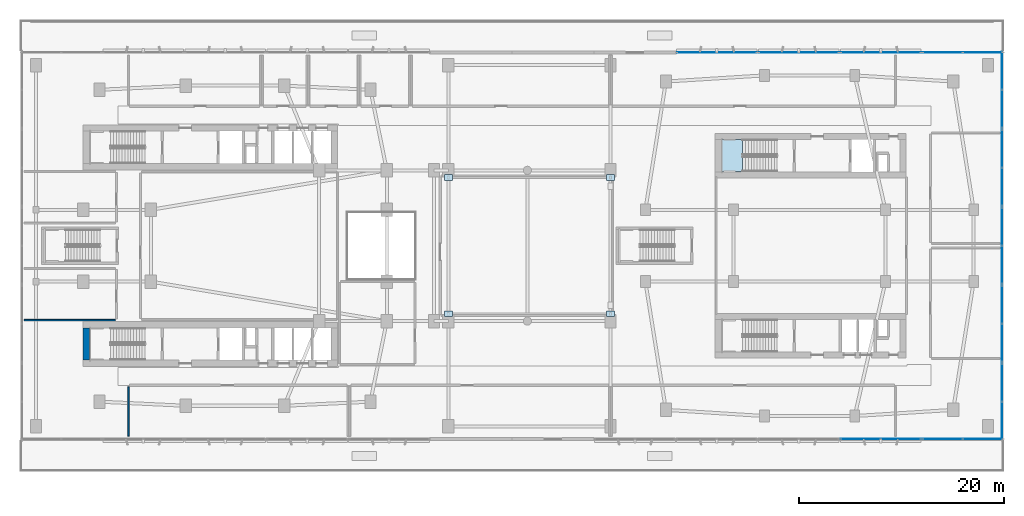
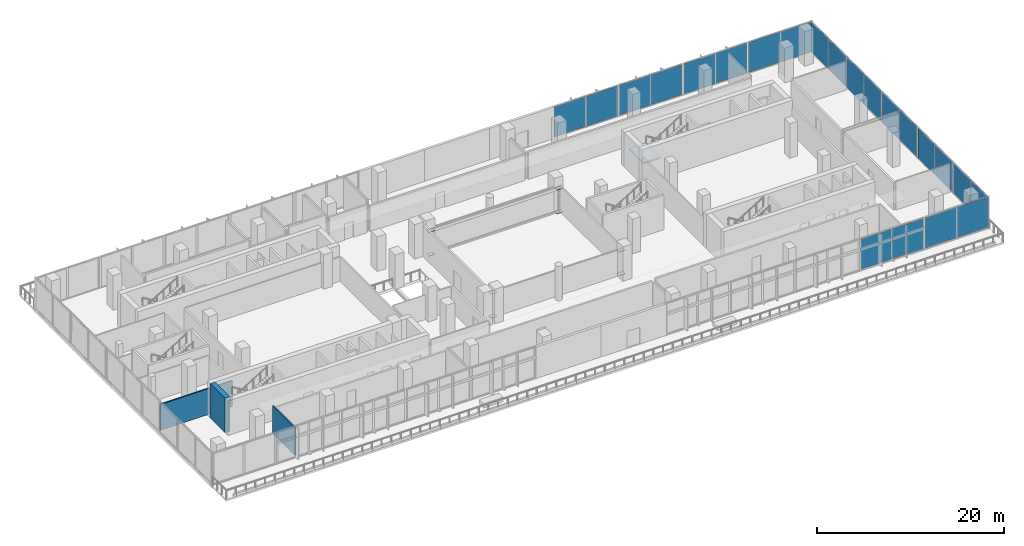
# One storey, part 12 of 31: 30 plates, 3 walls, 1 slab, 12 elements without a shape of their own.
"""IFC4 building model written with IfcOpenShell, lengths in metres."""

from ifc_helpers import new_model, si_unit, derived_unit, direction, frame, frame_2d, origin, origin_2d, place, context, subcontext, project, spatial, polyline, rectangle, outline, extrude, material, layer, layer_set, type_object, element, aggregate, save


model = new_model("IFC4")

# Units and contexts
model_context = context("Model", 3, precision=1e-05, world=origin(), true_north=direction((0.0, 1.0)))
body_context = subcontext(model_context, "Body", "Model", "MODEL_VIEW")
ifc_project = project(units=[si_unit("LENGTHUNIT", "METRE"), si_unit("AREAUNIT", "SQUARE_METRE"), si_unit("VOLUMEUNIT", "CUBIC_METRE"), si_unit("PLANEANGLEUNIT", "RADIAN"), si_unit("MASSUNIT", "GRAM", prefix="KILO"), derived_unit("THERMALTRANSMITTANCEUNIT", [(si_unit("POWERUNIT", "WATT"), 1), (si_unit("LENGTHUNIT", "METRE"), -2), (si_unit("THERMODYNAMICTEMPERATUREUNIT", "KELVIN"), -1)])], contexts=[model_context])

# Site, building, storey
site_placement = place(None, origin())
site = spatial("IfcSite", under=ifc_project, at=site_placement, CompositionType="ELEMENT")
building_placement = place(site_placement, origin())
building = spatial("IfcBuilding", under=site, at=building_placement, Name="Kivonza Crest Hotel", CompositionType="ELEMENT")
storey_placement = place(building_placement, frame((0.0, 0.0, 15.0)))
storey = spatial("IfcBuildingStorey", under=building, at=storey_placement, Name="L03", CompositionType="ELEMENT", Elevation=15.0)

# Curtain wall, plates
ifc_material_1 = material(Name="Anodised bronze aluminium and low-E double glazing", Category="aluminium")
ifc_layer_1 = layer(ifc_material_1, 0.199951171875)
ifc_layer_set_1 = layer_set([ifc_layer_1], Name="Anodised bronze aluminium and low-E double glazing")
curtain_wall_type = type_object("IfcCurtainWallType", Name="CW-SYS-6", PredefinedType="NOTDEFINED", material=ifc_layer_set_1)
curtain_wall_1_placement = place(storey_placement, origin())
curtain_wall_1 = element("IfcCurtainWall", 1, at=curtain_wall_1_placement, inside=storey, type_object=curtain_wall_type, Name="L03 unitised curtain wall CW-POD-L03-11", PredefinedType="NOTDEFINED")
ifc_material_2 = material(Name="Acoustic triple-laminated low-E glazing", Category="glass")
ifc_layer_2 = layer(ifc_material_2, 0.035888671875)
ifc_layer_set_2 = layer_set([ifc_layer_2], Name="Acoustic triple-laminated low-E glazing")
plate_type_1 = type_object("IfcPlateType", Name="CW-PNL-36", PredefinedType="CURTAIN_PANEL", material=ifc_layer_set_2)
plate_1_placement = place(storey_placement, frame((81.982177734375, 6.159912109375, 0.0751953125), z_axis=(0.0, 0.0, 1.0), x_axis=(1.0, 0.0, 0.0)))
plate_1 = element("IfcPlate", 2, at=plate_1_placement, type_object=plate_type_1, Name="CW-6 panel 1.1", PredefinedType="CURTAIN_PANEL", context=body_context, shape_type="SweptSolid", body=[
    extrude(rectangle(XDim=3.840576171875, YDim=0.035888671875, at=origin_2d()), origin(), (0.0, 0.0, 1.0), 3.949951171875),
])
plate_2_placement = place(storey_placement, frame((85.897705078125, 6.159912109375, 0.0751953125), z_axis=(0.0, 0.0, 1.0), x_axis=(1.0, 0.0, 0.0)))
plate_2 = element("IfcPlate", 3, at=plate_2_placement, type_object=plate_type_1, Name="CW-6 panel 2.1", PredefinedType="CURTAIN_PANEL", context=body_context, shape_type="SweptSolid", body=[
    extrude(rectangle(XDim=3.840576171875, YDim=0.035888671875, at=origin_2d()), origin(), (0.0, 0.0, 1.0), 3.949951171875),
])
aggregate(curtain_wall_1, [plate_1, plate_2])

curtain_wall_2_placement = place(storey_placement, origin())
curtain_wall_2 = element("IfcCurtainWall", 4, at=curtain_wall_2_placement, inside=storey, type_object=curtain_wall_type, Name="L03 unitised curtain wall CW-POD-L03-12", PredefinedType="NOTDEFINED")
plate_3_placement = place(storey_placement, frame((89.968505859375, 6.159912109375, 0.0751953125), z_axis=(0.0, 0.0, 1.0), x_axis=(1.0, 0.0, 0.0)))
plate_3 = element("IfcPlate", 5, at=plate_3_placement, type_object=plate_type_1, Name="CW-6 panel 1.1", PredefinedType="CURTAIN_PANEL", context=body_context, shape_type="SweptSolid", body=[
    extrude(rectangle(XDim=3.841064453125, YDim=0.035888671875, at=origin_2d()), origin(), (0.0, 0.0, 1.0), 3.949951171875),
])
plate_4_placement = place(storey_placement, frame((93.884521484375, 6.159912109375, 0.0751953125), z_axis=(0.0, 0.0, 1.0), x_axis=(1.0, 0.0, 0.0)))
plate_4 = element("IfcPlate", 6, at=plate_4_placement, type_object=plate_type_1, Name="CW-6 panel 2.1", PredefinedType="CURTAIN_PANEL", context=body_context, shape_type="SweptSolid", body=[
    extrude(rectangle(XDim=3.841064453125, YDim=0.035888671875, at=origin_2d()), origin(), (0.0, 0.0, 1.0), 3.949951171875),
])
aggregate(curtain_wall_2, [plate_3, plate_4])

curtain_wall_3_placement = place(storey_placement, origin())
curtain_wall_3 = element("IfcCurtainWall", 7, at=curtain_wall_3_placement, inside=storey, type_object=curtain_wall_type, Name="L03 unitised curtain wall CW-POD-L03-13", PredefinedType="NOTDEFINED")
plate_5_placement = place(storey_placement, frame((95.760009765625, 7.938720703125, 0.0751953125), z_axis=(0.0, 0.0, 1.0), x_axis=(0.0, 1.0, 0.0)))
plate_5 = element("IfcPlate", 8, at=plate_5_placement, type_object=plate_type_1, Name="CW-6 panel 1.1", PredefinedType="CURTAIN_PANEL", context=body_context, shape_type="SweptSolid", body=[
    extrude(rectangle(XDim=3.6474609375, YDim=0.035888671875, at=origin_2d()), origin(), (0.0, 0.0, 1.0), 3.949951171875),
])
plate_6_placement = place(storey_placement, frame((95.760009765625, 11.6611328125, 0.0751953125), z_axis=(0.0, 0.0, 1.0), x_axis=(0.0, 1.0, 0.0)))
plate_6 = element("IfcPlate", 9, at=plate_6_placement, type_object=plate_type_1, Name="CW-6 panel 2.1", PredefinedType="CURTAIN_PANEL", context=body_context, shape_type="SweptSolid", body=[
    extrude(rectangle(XDim=3.6474609375, YDim=0.035888671875, at=origin_2d()), origin(), (0.0, 0.0, 1.0), 3.949951171875),
])
aggregate(curtain_wall_3, [plate_5, plate_6])

curtain_wall_4_placement = place(storey_placement, origin())
curtain_wall_4 = element("IfcCurtainWall", 10, at=curtain_wall_4_placement, inside=storey, type_object=curtain_wall_type, Name="L03 unitised curtain wall CW-POD-L03-14", PredefinedType="NOTDEFINED")
plate_7_placement = place(storey_placement, frame((95.760009765625, 15.538818359375, 0.0751953125), z_axis=(0.0, 0.0, 1.0), x_axis=(0.0, 1.0, 0.0)))
plate_7 = element("IfcPlate", 11, at=plate_7_placement, type_object=plate_type_1, Name="CW-6 panel 1.1", PredefinedType="CURTAIN_PANEL", context=body_context, shape_type="SweptSolid", body=[
    extrude(rectangle(XDim=3.6474609375, YDim=0.035888671875, at=origin_2d()), origin(), (0.0, 0.0, 1.0), 3.949951171875),
])
plate_8_placement = place(storey_placement, frame((95.760009765625, 19.26123046875, 0.0751953125), z_axis=(0.0, 0.0, 1.0), x_axis=(0.0, 1.0, 0.0)))
plate_8 = element("IfcPlate", 12, at=plate_8_placement, type_object=plate_type_1, Name="CW-6 panel 2.1", PredefinedType="CURTAIN_PANEL", context=body_context, shape_type="SweptSolid", body=[
    extrude(rectangle(XDim=3.6474609375, YDim=0.035888671875, at=origin_2d()), origin(), (0.0, 0.0, 1.0), 3.949951171875),
])
aggregate(curtain_wall_4, [plate_7, plate_8])

curtain_wall_5_placement = place(storey_placement, origin())
curtain_wall_5 = element("IfcCurtainWall", 13, at=curtain_wall_5_placement, inside=storey, type_object=curtain_wall_type, Name="L03 unitised curtain wall CW-POD-L03-15", PredefinedType="NOTDEFINED")
plate_9_placement = place(storey_placement, frame((95.760009765625, 23.138671875, 0.0751953125), z_axis=(0.0, 0.0, 1.0), x_axis=(0.0, 1.0, 0.0)))
plate_9 = element("IfcPlate", 14, at=plate_9_placement, type_object=plate_type_1, Name="CW-6 panel 1.1", PredefinedType="CURTAIN_PANEL", context=body_context, shape_type="SweptSolid", body=[
    extrude(rectangle(XDim=3.6474609375, YDim=0.035888671875, at=origin_2d()), origin(), (0.0, 0.0, 1.0), 3.949951171875),
])
plate_10_placement = place(storey_placement, frame((95.760009765625, 26.861328125, 0.0751953125), z_axis=(0.0, 0.0, 1.0), x_axis=(0.0, 1.0, 0.0)))
plate_10 = element("IfcPlate", 15, at=plate_10_placement, type_object=plate_type_1, Name="CW-6 panel 2.1", PredefinedType="CURTAIN_PANEL", context=body_context, shape_type="SweptSolid", body=[
    extrude(rectangle(XDim=3.6474609375, YDim=0.035888671875, at=origin_2d()), origin(), (0.0, 0.0, 1.0), 3.949951171875),
])
aggregate(curtain_wall_5, [plate_9, plate_10])

curtain_wall_6_placement = place(storey_placement, origin())
curtain_wall_6 = element("IfcCurtainWall", 16, at=curtain_wall_6_placement, inside=storey, type_object=curtain_wall_type, Name="L03 unitised curtain wall CW-POD-L03-16", PredefinedType="NOTDEFINED")
plate_11_placement = place(storey_placement, frame((95.760009765625, 30.73876953125, 0.0751953125), z_axis=(0.0, 0.0, 1.0), x_axis=(0.0, 1.0, 0.0)))
plate_11 = element("IfcPlate", 17, at=plate_11_placement, type_object=plate_type_1, Name="CW-6 panel 1.1", PredefinedType="CURTAIN_PANEL", context=body_context, shape_type="SweptSolid", body=[
    extrude(rectangle(XDim=3.6474609375, YDim=0.035888671875, at=origin_2d()), origin(), (0.0, 0.0, 1.0), 3.949951171875),
])
plate_12_placement = place(storey_placement, frame((95.760009765625, 34.461181640625, 0.0751953125), z_axis=(0.0, 0.0, 1.0), x_axis=(0.0, 1.0, 0.0)))
plate_12 = element("IfcPlate", 18, at=plate_12_placement, type_object=plate_type_1, Name="CW-6 panel 2.1", PredefinedType="CURTAIN_PANEL", context=body_context, shape_type="SweptSolid", body=[
    extrude(rectangle(XDim=3.6474609375, YDim=0.035888671875, at=origin_2d()), origin(), (0.0, 0.0, 1.0), 3.949951171875),
])
aggregate(curtain_wall_6, [plate_11, plate_12])

curtain_wall_7_placement = place(storey_placement, origin())
curtain_wall_7 = element("IfcCurtainWall", 19, at=curtain_wall_7_placement, inside=storey, type_object=curtain_wall_type, Name="L03 unitised curtain wall CW-POD-L03-17", PredefinedType="NOTDEFINED")
plate_13_placement = place(storey_placement, frame((95.760009765625, 38.3388671875, 0.0751953125), z_axis=(0.0, 0.0, 1.0), x_axis=(0.0, 1.0, 0.0)))
plate_13 = element("IfcPlate", 20, at=plate_13_placement, type_object=plate_type_1, Name="CW-6 panel 1.1", PredefinedType="CURTAIN_PANEL", context=body_context, shape_type="SweptSolid", body=[
    extrude(rectangle(XDim=3.6474609375, YDim=0.035888671875, at=origin_2d()), origin(), (0.0, 0.0, 1.0), 3.949951171875),
])
plate_14_placement = place(storey_placement, frame((95.760009765625, 42.061279296875, 0.0751953125), z_axis=(0.0, 0.0, 1.0), x_axis=(0.0, 1.0, 0.0)))
plate_14 = element("IfcPlate", 21, at=plate_14_placement, type_object=plate_type_1, Name="CW-6 panel 2.1", PredefinedType="CURTAIN_PANEL", context=body_context, shape_type="SweptSolid", body=[
    extrude(rectangle(XDim=3.6474609375, YDim=0.035888671875, at=origin_2d()), origin(), (0.0, 0.0, 1.0), 3.949951171875),
])
aggregate(curtain_wall_7, [plate_13, plate_14])

curtain_wall_8_placement = place(storey_placement, origin())
curtain_wall_8 = element("IfcCurtainWall", 22, at=curtain_wall_8_placement, inside=storey, type_object=curtain_wall_type, Name="L03 unitised curtain wall CW-POD-L03-18", PredefinedType="NOTDEFINED")
plate_15_placement = place(storey_placement, frame((93.884521484375, 43.840087890625, 0.0751953125), z_axis=(0.0, 0.0, 1.0), x_axis=(-1.0, 0.0, 0.0)))
plate_15 = element("IfcPlate", 23, at=plate_15_placement, type_object=plate_type_1, Name="CW-6 panel 1.1", PredefinedType="CURTAIN_PANEL", context=body_context, shape_type="SweptSolid", body=[
    extrude(rectangle(XDim=3.841064453125, YDim=0.035888671875, at=origin_2d()), origin(), (0.0, 0.0, 1.0), 3.949951171875),
])
plate_16_placement = place(storey_placement, frame((89.968505859375, 43.840087890625, 0.0751953125), z_axis=(0.0, 0.0, 1.0), x_axis=(-1.0, 0.0, 0.0)))
plate_16 = element("IfcPlate", 24, at=plate_16_placement, type_object=plate_type_1, Name="CW-6 panel 2.1", PredefinedType="CURTAIN_PANEL", context=body_context, shape_type="SweptSolid", body=[
    extrude(rectangle(XDim=3.841064453125, YDim=0.035888671875, at=origin_2d()), origin(), (0.0, 0.0, 1.0), 3.949951171875),
])
aggregate(curtain_wall_8, [plate_15, plate_16])

curtain_wall_9_placement = place(storey_placement, origin())
curtain_wall_9 = element("IfcCurtainWall", 25, at=curtain_wall_9_placement, inside=storey, type_object=curtain_wall_type, Name="L03 unitised curtain wall CW-POD-L03-19", PredefinedType="NOTDEFINED")
plate_17_placement = place(storey_placement, frame((85.897705078125, 43.840087890625, 0.0751953125), z_axis=(0.0, 0.0, 1.0), x_axis=(-1.0, 0.0, 0.0)))
plate_17 = element("IfcPlate", 26, at=plate_17_placement, type_object=plate_type_1, Name="CW-6 panel 1.1", PredefinedType="CURTAIN_PANEL", context=body_context, shape_type="SweptSolid", body=[
    extrude(rectangle(XDim=3.840576171875, YDim=0.035888671875, at=origin_2d()), origin(), (0.0, 0.0, 1.0), 3.949951171875),
])
plate_18_placement = place(storey_placement, frame((81.982177734375, 43.840087890625, 0.0751953125), z_axis=(0.0, 0.0, 1.0), x_axis=(-1.0, 0.0, 0.0)))
plate_18 = element("IfcPlate", 27, at=plate_18_placement, type_object=plate_type_1, Name="CW-6 panel 2.1", PredefinedType="CURTAIN_PANEL", context=body_context, shape_type="SweptSolid", body=[
    extrude(rectangle(XDim=3.840576171875, YDim=0.035888671875, at=origin_2d()), origin(), (0.0, 0.0, 1.0), 3.949951171875),
])
aggregate(curtain_wall_9, [plate_17, plate_18])

curtain_wall_10_placement = place(storey_placement, origin())
curtain_wall_10 = element("IfcCurtainWall", 28, at=curtain_wall_10_placement, inside=storey, type_object=curtain_wall_type, Name="L03 unitised curtain wall CW-POD-L03-20", PredefinedType="NOTDEFINED")
plate_19_placement = place(storey_placement, frame((77.91162109375, 43.840087890625, 0.0751953125), z_axis=(0.0, 0.0, 1.0), x_axis=(-1.0, 0.0, 0.0)))
plate_19 = element("IfcPlate", 29, at=plate_19_placement, type_object=plate_type_1, Name="CW-6 panel 1.1", PredefinedType="CURTAIN_PANEL", context=body_context, shape_type="SweptSolid", body=[
    extrude(rectangle(XDim=3.841064453125, YDim=0.035888671875, at=origin_2d()), origin(), (0.0, 0.0, 1.0), 3.949951171875),
])
plate_20_placement = place(storey_placement, frame((73.99560546875, 43.840087890625, 0.0751953125), z_axis=(0.0, 0.0, 1.0), x_axis=(-1.0, 0.0, 0.0)))
plate_20 = element("IfcPlate", 30, at=plate_20_placement, type_object=plate_type_1, Name="CW-6 panel 2.1", PredefinedType="CURTAIN_PANEL", context=body_context, shape_type="SweptSolid", body=[
    extrude(rectangle(XDim=3.841064453125, YDim=0.035888671875, at=origin_2d()), origin(), (0.0, 0.0, 1.0), 3.949951171875),
])
aggregate(curtain_wall_10, [plate_19, plate_20])

curtain_wall_11_placement = place(storey_placement, origin())
curtain_wall_11 = element("IfcCurtainWall", 31, at=curtain_wall_11_placement, inside=storey, type_object=curtain_wall_type, Name="L03 unitised curtain wall CW-POD-L03-21", PredefinedType="NOTDEFINED")
plate_21_placement = place(storey_placement, frame((69.924560546875, 43.840087890625, 0.0751953125), z_axis=(0.0, 0.0, 1.0), x_axis=(-1.0, 0.0, 0.0)))
plate_21 = element("IfcPlate", 32, at=plate_21_placement, type_object=plate_type_1, Name="CW-6 panel 1.1", PredefinedType="CURTAIN_PANEL", context=body_context, shape_type="SweptSolid", body=[
    extrude(rectangle(XDim=3.841064453125, YDim=0.035888671875, at=origin_2d()), origin(), (0.0, 0.0, 1.0), 3.949951171875),
])
plate_22_placement = place(storey_placement, frame((66.008544921875, 43.840087890625, 0.0751953125), z_axis=(0.0, 0.0, 1.0), x_axis=(-1.0, 0.0, 0.0)))
plate_22 = element("IfcPlate", 33, at=plate_22_placement, type_object=plate_type_1, Name="CW-6 panel 2.1", PredefinedType="CURTAIN_PANEL", context=body_context, shape_type="SweptSolid", body=[
    extrude(rectangle(XDim=3.841064453125, YDim=0.035888671875, at=origin_2d()), origin(), (0.0, 0.0, 1.0), 3.949951171875),
])
aggregate(curtain_wall_11, [plate_21, plate_22])

# Plates
ifc_material_3 = material(Name="Steel S355", Category="steel")
ifc_layer_3 = layer(ifc_material_3, 0.030029296875)
ifc_layer_set_3 = layer_set([ifc_layer_3], Name="Steel S355")
plate_type_2 = type_object("IfcPlateType", Name="PL-NODE-BR1", PredefinedType="SHEET", material=ifc_layer_set_3)
for number, where, z_axis, x_axis, name in (
    (34, (41.800048828125, 18.35009765625, -0.01513671875), (0.0, 0.0, 1.0), (1.0, 0.0, 0.0), "ND-BR1 node gusset and end-cap plate L03 141"),
    (35, (41.800048828125, 18.35009765625, 3.0849609375), (0.0, 0.0, 1.0), (1.0, 0.0, 0.0), "ND-BR1 node gusset and end-cap plate L03 142"),
    (36, (57.60009765625, 18.35009765625, -0.01513671875), (0.0, 0.0, 1.0), (1.0, 0.0, 0.0), "ND-BR1 node gusset and end-cap plate L03 143"),
    (37, (57.60009765625, 18.35009765625, 3.0849609375), (0.0, 0.0, 1.0), (1.0, 0.0, 0.0), "ND-BR1 node gusset and end-cap plate L03 144"),
    (38, (41.800048828125, 31.64990234375, -0.01513671875), (0.0, 0.0, 1.0), (1.0, 0.0, 0.0), "ND-BR1 node gusset and end-cap plate L03 145"),
    (39, (41.800048828125, 31.64990234375, 3.0849609375), (0.0, 0.0, 1.0), (1.0, 0.0, 0.0), "ND-BR1 node gusset and end-cap plate L03 146"),
    (40, (57.60009765625, 31.64990234375, -0.01513671875), (0.0, 0.0, 1.0), (1.0, 0.0, 0.0), "ND-BR1 node gusset and end-cap plate L03 147"),
    (41, (57.60009765625, 31.64990234375, 3.0849609375), (0.0, 0.0, 1.0), (1.0, 0.0, 0.0), "ND-BR1 node gusset and end-cap plate L03 148"),
):
    element("IfcPlate", number, at=place(storey_placement, frame(where, z_axis=z_axis, x_axis=x_axis)), inside=storey, type_object=plate_type_2, Name=name, PredefinedType="SHEET", context=body_context, shape_type="SweptSolid", body=[
        extrude(rectangle(XDim=0.760009765625, YDim=0.5400390625, at=origin_2d()), origin(), (0.0, 0.0, 1.0), 0.030029296875),
    ])

# Stair, slab
ifc_material_4 = material(Name="Concrete C40/50", Category="concrete")
stair_type = type_object("IfcStairType", Name="ST-DL-26R", PredefinedType="HALF_TURN_STAIR", material=ifc_material_4)
stair_placement = place(storey_placement, origin())
stair = element("IfcStair", 42, at=stair_placement, inside=storey, type_object=stair_type, Name="L03 Protected Exit Stair ST-T2-N", PredefinedType="HALF_TURN_STAIR")
ifc_layer_4 = layer(ifc_material_4, 0.199951171875)
ifc_layer_set_4 = layer_set([ifc_layer_4], Name="Concrete C40/50")
slab_type = type_object("IfcSlabType", Name="SL-LAND-200", PredefinedType="LANDING", material=ifc_layer_set_4)
slab_placement = place(storey_placement, frame((0.0, 0.0, 2.050048828125)))
slab = element("IfcSlab", 43, at=slab_placement, type_object=slab_type, Name="ST-T2-N landing 1", PredefinedType="LANDING", context=body_context, shape_type="SweptSolid", body=[
    extrude(outline(polyline([(70.47998046875, 35.360107421875), (68.39990234375, 35.360107421875), (68.39990234375, 32.219970703125), (70.47998046875, 32.219970703125), (70.47998046875, 35.360107421875)])), origin(), (0.0, 0.0, 1.0), 0.199951171875),
])
aggregate(stair, [slab])

# Walls
ifc_material_5 = material(Name="Concrete C60/75", Category="concrete")
ifc_layer_5 = layer(ifc_material_5, 0.60009765625)
ifc_layer_set_5 = layer_set([ifc_layer_5], Name="Concrete C60/75")
wall_type_1 = type_object("IfcWallType", Name="WL-CORE-600", PredefinedType="SHEAR", material=ifc_layer_set_5)
wall_1_placement = place(storey_placement, frame((6.5, 13.840087890625, 0.0), z_axis=(0.0, 0.0, 1.0), x_axis=(0.0, 1.0, 0.0)))
element("IfcWall", 44, at=wall_1_placement, inside=storey, type_object=wall_type_1, Name="Core wall T1-S West L03", PredefinedType="SHEAR", context=body_context, shape_type="SweptSolid", body=[
    extrude(rectangle(XDim=3.159912109375, YDim=0.60009765625, at=frame_2d((1.580078125, 0.0))), origin(), (0.0, 0.0, 1.0), 4.5),
])
ifc_material_6 = material(Name="Twin-stud acoustic gypsum board partition", Category="gypsum")
ifc_layer_6 = layer(ifc_material_6, 0.14990234375)
ifc_layer_set_6 = layer_set([ifc_layer_6], Name="Twin-stud acoustic gypsum board partition")
wall_type_2 = type_object("IfcWallType", Name="WL-PART-150", PredefinedType="PARTITIONING", material=ifc_layer_set_6)
wall_2_placement = place(storey_placement, frame((10.60009765625, 6.449951171875, 0.0), z_axis=(0.0, 0.0, 1.0), x_axis=(0.0, 1.0, 0.0)))
element("IfcWall", 45, at=wall_2_placement, inside=storey, type_object=wall_type_2, Name="L03 interior partition WP-L03-BRD-1-BW", PredefinedType="PARTITIONING", context=body_context, shape_type="SweptSolid", body=[
    extrude(rectangle(XDim=4.800048828125, YDim=0.14990234375, at=frame_2d((2.39990234375, 0.0))), origin(), (0.0, 0.0, 1.0), 3.625),
])
wall_3_placement = place(storey_placement, frame((0.449951171875, 17.75, 0.0), z_axis=(0.0, 0.0, 1.0), x_axis=(1.0, 0.0, 0.0)))
element("IfcWall", 46, at=wall_3_placement, inside=storey, type_object=wall_type_2, Name="L03 interior partition WP-L03-W-SEM3S-BS", PredefinedType="PARTITIONING", context=body_context, shape_type="SweptSolid", body=[
    extrude(rectangle(XDim=8.900146484375, YDim=0.14990234375, at=frame_2d((4.4501953125, 0.0))), origin(), (0.0, 0.0, 1.0), 3.375),
])

save(model, "model.ifc")
